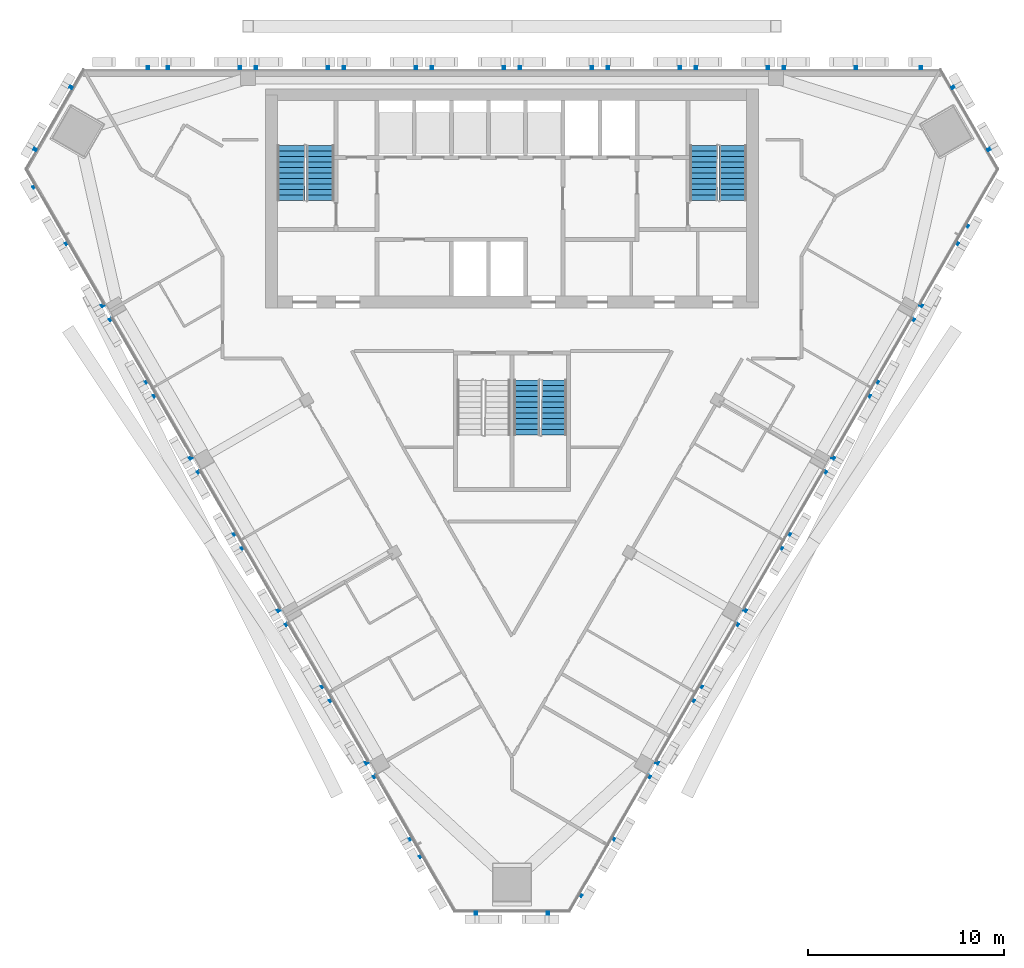
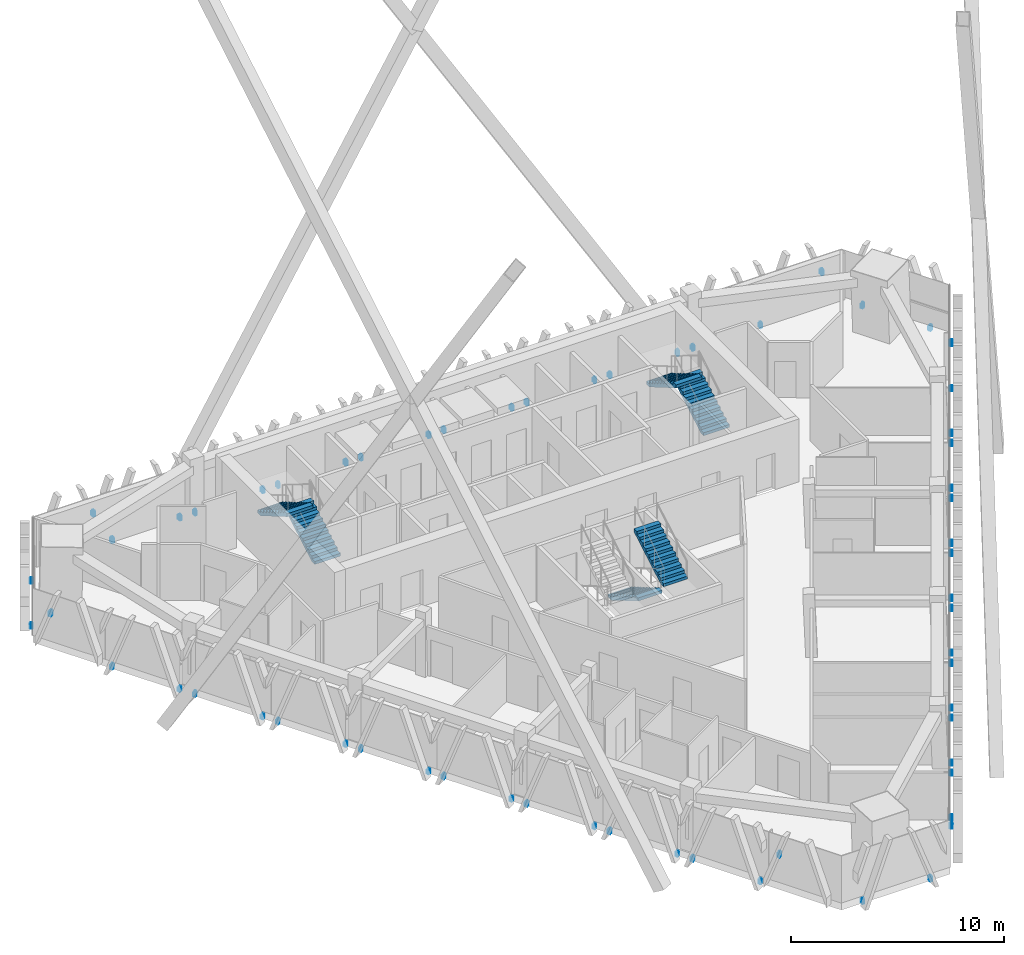
# One storey, part 19 of 22: 6 discrete accessories, 6 stair flights, 3 elements without a shape of their own.
"""IFC4 building model written with IfcOpenShell, lengths in metres."""

from ifc_helpers import new_model, si_unit, direction, frame, origin, place, context, subcontext, project, spatial, polyline, outline, extrude, source, transform, mapped, material, type_object, element, aggregate, save


model = new_model("IFC4")

# Units and contexts
model_context = context("Model", 3, precision=1e-05, world=origin(), true_north=direction((0.0, 1.0)))
body_context = subcontext(model_context, "Body", "Model", "MODEL_VIEW")
ifc_project = project(units=[si_unit("LENGTHUNIT", "METRE"), si_unit("AREAUNIT", "SQUARE_METRE"), si_unit("VOLUMEUNIT", "CUBIC_METRE"), si_unit("PLANEANGLEUNIT", "RADIAN"), si_unit("MASSUNIT", "GRAM", prefix="KILO")], contexts=[model_context])

# Site, building, storey
site_placement = place(None, origin())
site = spatial("IfcSite", under=ifc_project, at=site_placement, CompositionType="ELEMENT")
building_placement = place(site_placement, origin())
building = spatial("IfcBuilding", under=site, at=building_placement, Name="Altiplano Prism Tower", CompositionType="ELEMENT")
storey_placement = place(building_placement, frame((0.0, 0.0, 219.39990234375)))
storey = spatial("IfcBuildingStorey", under=building, at=storey_placement, Name="L56", CompositionType="ELEMENT", Elevation=219.39990234375)

# Stair, stair flights
ifc_material_1 = material(Name="Concrete C40/50", Category="concrete")
stair_type_1 = type_object("IfcStairType", Name="Exit stair 1400", PredefinedType="HALF_TURN_STAIR", material=ifc_material_1)
stair_1_placement = place(storey_placement, origin())
stair_1 = element("IfcStair", 1, at=stair_1_placement, inside=storey, type_object=stair_type_1, Name="L56 Exit Stair 1", PredefinedType="HALF_TURN_STAIR")
stair_flight_type = type_object("IfcStairFlightType", Name="Stair flight concrete 150", PredefinedType="STRAIGHT", material=ifc_material_1)
stair_flight_1_placement = place(storey_placement, frame((75.199951171875, 98.300048828125, 0.0), z_axis=(0.0, 0.0, 1.0), x_axis=(0.0, 1.0, 0.0)))
stair_flight_1 = element("IfcStairFlight", 2, at=stair_flight_1_placement, type_object=stair_flight_type, Name="ST1 flight 1", NumberOfRisers=11, NumberOfTreads=10, PredefinedType="STRAIGHT", RiserHeight=0.163636364, TreadLength=0.28, context=body_context, shape_type="SweptSolid", body=[
    extrude(outline(polyline([(0.0, 0.0), (0.0, 0.16357421875), (0.280029296875, 0.16357421875), (0.280029296875, 0.327392578125), (0.56005859375, 0.327392578125), (0.56005859375, 0.490966796875), (0.840087890625, 0.490966796875), (0.840087890625, 0.654541015625), (1.1201171875, 0.654541015625), (1.1201171875, 0.818115234375), (1.39990234375, 0.818115234375), (1.39990234375, 0.98193359375), (1.679931640625, 0.98193359375), (1.679931640625, 1.1455078125), (1.9599609375, 1.1455078125), (1.9599609375, 1.30908203125), (2.239990234375, 1.30908203125), (2.239990234375, 1.47265625), (2.52001953125, 1.47265625), (2.52001953125, 1.636474609375), (2.800048828125, 1.636474609375), (2.800048828125, 1.800048828125), (2.800048828125, 1.462646484375), (0.297119140625, 0.0), (0.0, 0.0)])), frame((0.0, 0.699951171875, 0.0), z_axis=(0.0, -1.0, 0.0), x_axis=(1.0, 0.0, 0.0)), (0.0, 0.0, 1.0), 1.39990234375),
])
stair_flight_2_placement = place(storey_placement, frame((73.699951171875, 101.10009765625, 1.800048828125), z_axis=(0.0, 0.0, 1.0), x_axis=(0.0, -1.0, 0.0)))
stair_flight_2 = element("IfcStairFlight", 3, at=stair_flight_2_placement, type_object=stair_flight_type, Name="ST1 flight 2", NumberOfRisers=11, NumberOfTreads=10, PredefinedType="STRAIGHT", RiserHeight=0.163636364, TreadLength=0.28, context=body_context, shape_type="SweptSolid", body=[
    extrude(outline(polyline([(0.0, 0.0), (0.0, 0.16357421875), (0.280029296875, 0.16357421875), (0.280029296875, 0.327392578125), (0.56005859375, 0.327392578125), (0.56005859375, 0.490966796875), (0.840087890625, 0.490966796875), (0.840087890625, 0.654541015625), (1.1201171875, 0.654541015625), (1.1201171875, 0.818115234375), (1.39990234375, 0.818115234375), (1.39990234375, 0.98193359375), (1.679931640625, 0.98193359375), (1.679931640625, 1.1455078125), (1.9599609375, 1.1455078125), (1.9599609375, 1.30908203125), (2.239990234375, 1.30908203125), (2.239990234375, 1.47265625), (2.52001953125, 1.47265625), (2.52001953125, 1.636474609375), (2.800048828125, 1.636474609375), (2.800048828125, 1.800048828125), (2.800048828125, 1.462646484375), (0.297119140625, 0.0), (0.0, 0.0)])), frame((0.0, 0.699951171875, 0.0), z_axis=(0.0, -1.0, 0.0), x_axis=(1.0, 0.0, 0.0)), (0.0, 0.0, 1.0), 1.39990234375),
])
aggregate(stair_1, [stair_flight_1, stair_flight_2])

stair_2_placement = place(storey_placement, origin())
stair_2 = element("IfcStair", 4, at=stair_2_placement, inside=storey, type_object=stair_type_1, Name="L56 Exit Stair 2", PredefinedType="HALF_TURN_STAIR")
stair_flight_3_placement = place(storey_placement, frame((96.300048828125, 98.300048828125, 0.0), z_axis=(0.0, 0.0, 1.0), x_axis=(0.0, 1.0, 0.0)))
stair_flight_3 = element("IfcStairFlight", 5, at=stair_flight_3_placement, type_object=stair_flight_type, Name="ST2 flight 1", NumberOfRisers=11, NumberOfTreads=10, PredefinedType="STRAIGHT", RiserHeight=0.163636364, TreadLength=0.28, context=body_context, shape_type="SweptSolid", body=[
    extrude(outline(polyline([(0.0, 0.0), (0.0, 0.16357421875), (0.280029296875, 0.16357421875), (0.280029296875, 0.327392578125), (0.56005859375, 0.327392578125), (0.56005859375, 0.490966796875), (0.840087890625, 0.490966796875), (0.840087890625, 0.654541015625), (1.1201171875, 0.654541015625), (1.1201171875, 0.818115234375), (1.39990234375, 0.818115234375), (1.39990234375, 0.98193359375), (1.679931640625, 0.98193359375), (1.679931640625, 1.1455078125), (1.9599609375, 1.1455078125), (1.9599609375, 1.30908203125), (2.239990234375, 1.30908203125), (2.239990234375, 1.47265625), (2.52001953125, 1.47265625), (2.52001953125, 1.636474609375), (2.800048828125, 1.636474609375), (2.800048828125, 1.800048828125), (2.800048828125, 1.462646484375), (0.297119140625, 0.0), (0.0, 0.0)])), frame((0.0, 0.699951171875, 0.0), z_axis=(0.0, -1.0, 0.0), x_axis=(1.0, 0.0, 0.0)), (0.0, 0.0, 1.0), 1.39990234375),
])
stair_flight_4_placement = place(storey_placement, frame((94.800048828125, 101.10009765625, 1.800048828125), z_axis=(0.0, 0.0, 1.0), x_axis=(0.0, -1.0, 0.0)))
stair_flight_4 = element("IfcStairFlight", 6, at=stair_flight_4_placement, type_object=stair_flight_type, Name="ST2 flight 2", NumberOfRisers=11, NumberOfTreads=10, PredefinedType="STRAIGHT", RiserHeight=0.163636364, TreadLength=0.28, context=body_context, shape_type="SweptSolid", body=[
    extrude(outline(polyline([(0.0, 0.0), (0.0, 0.16357421875), (0.280029296875, 0.16357421875), (0.280029296875, 0.327392578125), (0.56005859375, 0.327392578125), (0.56005859375, 0.490966796875), (0.840087890625, 0.490966796875), (0.840087890625, 0.654541015625), (1.1201171875, 0.654541015625), (1.1201171875, 0.818115234375), (1.39990234375, 0.818115234375), (1.39990234375, 0.98193359375), (1.679931640625, 0.98193359375), (1.679931640625, 1.1455078125), (1.9599609375, 1.1455078125), (1.9599609375, 1.30908203125), (2.239990234375, 1.30908203125), (2.239990234375, 1.47265625), (2.52001953125, 1.47265625), (2.52001953125, 1.636474609375), (2.800048828125, 1.636474609375), (2.800048828125, 1.800048828125), (2.800048828125, 1.462646484375), (0.297119140625, 0.0), (0.0, 0.0)])), frame((0.0, 0.699951171875, 0.0), z_axis=(0.0, -1.0, 0.0), x_axis=(1.0, 0.0, 0.0)), (0.0, 0.0, 1.0), 1.39990234375),
])
aggregate(stair_2, [stair_flight_3, stair_flight_4])

stair_type_2 = type_object("IfcStairType", Name="Exit stair 1300", PredefinedType="HALF_TURN_STAIR", material=ifc_material_1)
stair_3_placement = place(storey_placement, origin())
stair_3 = element("IfcStair", 7, at=stair_3_placement, inside=storey, type_object=stair_type_2, Name="L56 Exit Stair 3B", PredefinedType="HALF_TURN_STAIR")
stair_flight_5_placement = place(storey_placement, frame((85.75, 89.10009765625, 0.0), z_axis=(0.0, 0.0, 1.0), x_axis=(0.0, -1.0, 0.0)))
stair_flight_5 = element("IfcStairFlight", 8, at=stair_flight_5_placement, type_object=stair_flight_type, Name="ST3B flight 1", NumberOfRisers=11, NumberOfTreads=10, PredefinedType="STRAIGHT", RiserHeight=0.163636364, TreadLength=0.28, context=body_context, shape_type="SweptSolid", body=[
    extrude(outline(polyline([(0.0, 0.0), (0.0, 0.16357421875), (0.280029296875, 0.16357421875), (0.280029296875, 0.327392578125), (0.56005859375, 0.327392578125), (0.56005859375, 0.490966796875), (0.840087890625, 0.490966796875), (0.840087890625, 0.654541015625), (1.1201171875, 0.654541015625), (1.1201171875, 0.818115234375), (1.39990234375, 0.818115234375), (1.39990234375, 0.98193359375), (1.679931640625, 0.98193359375), (1.679931640625, 1.1455078125), (1.9599609375, 1.1455078125), (1.9599609375, 1.30908203125), (2.239990234375, 1.30908203125), (2.239990234375, 1.47265625), (2.52001953125, 1.47265625), (2.52001953125, 1.636474609375), (2.800048828125, 1.636474609375), (2.800048828125, 1.800048828125), (2.800048828125, 1.462646484375), (0.297119140625, 0.0), (0.0, 0.0)])), frame((0.0, 0.64990234375, 0.0), z_axis=(0.0, -1.0, 0.0), x_axis=(1.0, 0.0, 0.0)), (0.0, 0.0, 1.0), 1.300048828125),
])
stair_flight_6_placement = place(storey_placement, frame((87.14990234375, 86.300048828125, 1.800048828125), z_axis=(0.0, 0.0, 1.0), x_axis=(0.0, 1.0, 0.0)))
stair_flight_6 = element("IfcStairFlight", 9, at=stair_flight_6_placement, type_object=stair_flight_type, Name="ST3B flight 2", NumberOfRisers=11, NumberOfTreads=10, PredefinedType="STRAIGHT", RiserHeight=0.163636364, TreadLength=0.28, context=body_context, shape_type="SweptSolid", body=[
    extrude(outline(polyline([(0.0, 0.0), (0.0, 0.16357421875), (0.280029296875, 0.16357421875), (0.280029296875, 0.327392578125), (0.56005859375, 0.327392578125), (0.56005859375, 0.490966796875), (0.840087890625, 0.490966796875), (0.840087890625, 0.654541015625), (1.1201171875, 0.654541015625), (1.1201171875, 0.818115234375), (1.39990234375, 0.818115234375), (1.39990234375, 0.98193359375), (1.679931640625, 0.98193359375), (1.679931640625, 1.1455078125), (1.9599609375, 1.1455078125), (1.9599609375, 1.30908203125), (2.239990234375, 1.30908203125), (2.239990234375, 1.47265625), (2.52001953125, 1.47265625), (2.52001953125, 1.636474609375), (2.800048828125, 1.636474609375), (2.800048828125, 1.800048828125), (2.800048828125, 1.462646484375), (0.297119140625, 0.0), (0.0, 0.0)])), frame((0.0, 0.64990234375, 0.0), z_axis=(0.0, -1.0, 0.0), x_axis=(1.0, 0.0, 0.0)), (0.0, 0.0, 1.0), 1.300048828125),
])
aggregate(stair_3, [stair_flight_5, stair_flight_6])

# Discrete accessories
ifc_material_2 = material(Name="Stainless steel", Category="steel")
discrete_accessory_type = type_object("IfcDiscreteAccessoryType", Name="Stone fin fixing prongs", PredefinedType="USERDEFINED", material=ifc_material_2)
shared_shape_1 = source(origin(), body_context, "Body", "SweptSolid", [
    extrude(outline(polyline([(-1.21142578125, 1.934814453125), (-1.091552734375, 1.934814453125), (-1.091552734375, 2.234619140625), (-1.21142578125, 2.234619140625), (-1.21142578125, 1.934814453125)])), frame((0.0, 0.0, 0.0), z_axis=(0.0, -1.0, 0.0), x_axis=(1.0, 0.0, 0.0)), (0.0, 0.0, 1.0), 0.14990234375),
])
shared_shape_2 = source(origin(), body_context, "Body", "SweptSolid", [
    extrude(outline(polyline([(-1.8974609375, 0.06005859375), (-1.777587890625, 0.06005859375), (-1.777587890625, 0.340087890625), (-1.8974609375, 0.340087890625), (-1.8974609375, 0.06005859375)])), frame((0.0, 0.0, 0.0), z_axis=(0.0, -1.0, 0.0), x_axis=(1.0, 0.0, 0.0)), (0.0, 0.0, 1.0), 0.14990234375),
    extrude(outline(polyline([(1.777587890625, 0.06005859375), (1.8974609375, 0.06005859375), (1.8974609375, 0.340087890625), (1.777587890625, 0.340087890625), (1.777587890625, 0.06005859375)])), frame((0.0, 0.0, 0.0), z_axis=(0.0, -1.0, 0.0), x_axis=(1.0, 0.0, 0.0)), (0.0, 0.0, 1.0), 0.14990234375),
])
discrete_accessory_1_placement = place(storey_placement, origin())
element("IfcDiscreteAccessory", 10, at=discrete_accessory_1_placement, inside=storey, type_object=discrete_accessory_type, Name="Fin fixings L56 north face", ObjectType="BRACKET", PredefinedType="USERDEFINED", context=body_context, shape_type="MappedRepresentation", body=[
    mapped(shared_shape_1, transform((104.768310546875, 105.0, -0.39990234375), x_axis=(-1.0, 0.0, 0.0), y_axis=(0.0, -1.0, 0.0), z_axis=(0.0, 0.0, 1.0))),
    mapped(shared_shape_2, transform((100.75, 105.0, -0.39990234375), x_axis=(-1.0, 0.0, 0.0), y_axis=(0.0, -1.0, 0.0), z_axis=(0.0, 0.0, 1.0))),
    mapped(shared_shape_2, transform((96.25, 105.0, -0.39990234375), x_axis=(-1.0, 0.0, 0.0), y_axis=(0.0, -1.0, 0.0), z_axis=(0.0, 0.0, 1.0))),
    mapped(shared_shape_2, transform((91.75, 105.0, -0.39990234375), x_axis=(-1.0, 0.0, 0.0), y_axis=(0.0, -1.0, 0.0), z_axis=(0.0, 0.0, 1.0))),
    mapped(shared_shape_2, transform((87.25, 105.0, -0.39990234375), x_axis=(-1.0, 0.0, 0.0), y_axis=(0.0, -1.0, 0.0), z_axis=(0.0, 0.0, 1.0))),
    mapped(shared_shape_2, transform((82.75, 105.0, -0.39990234375), x_axis=(-1.0, 0.0, 0.0), y_axis=(0.0, -1.0, 0.0), z_axis=(0.0, 0.0, 1.0))),
    mapped(shared_shape_2, transform((78.25, 105.0, -0.39990234375), x_axis=(-1.0, 0.0, 0.0), y_axis=(0.0, -1.0, 0.0), z_axis=(0.0, 0.0, 1.0))),
    mapped(shared_shape_2, transform((73.75, 105.0, -0.39990234375), x_axis=(-1.0, 0.0, 0.0), y_axis=(0.0, -1.0, 0.0), z_axis=(0.0, 0.0, 1.0))),
    mapped(shared_shape_2, transform((69.25, 105.0, -0.39990234375), x_axis=(-1.0, 0.0, 0.0), y_axis=(0.0, -1.0, 0.0), z_axis=(0.0, 0.0, 1.0))),
    mapped(shared_shape_1, transform((65.231689453125, 105.0, -0.39990234375), x_axis=(-1.0, 0.0, 0.0), y_axis=(0.0, -1.0, 0.0), z_axis=(0.0, 0.0, 1.0))),
])
discrete_accessory_2_placement = place(storey_placement, origin())
element("IfcDiscreteAccessory", 11, at=discrete_accessory_2_placement, inside=storey, type_object=discrete_accessory_type, Name="Fin fixings L56 south-west face", ObjectType="BRACKET", PredefinedType="USERDEFINED", context=body_context, shape_type="MappedRepresentation", body=[
    mapped(shared_shape_1, transform((61.204345703125, 98.0244140625, -0.39990234375), x_axis=(0.499999980144, -0.866025415249, 0.0), y_axis=(0.866025415249, 0.499999980144, 0.0), z_axis=(0.0, 0.0, 1.0))),
    mapped(shared_shape_2, transform((63.21337890625, 94.54443359375, -0.39990234375), x_axis=(0.499999980144, -0.866025415249, 0.0), y_axis=(0.866025415249, 0.499999980144, 0.0), z_axis=(0.0, 0.0, 1.0))),
    mapped(shared_shape_2, transform((65.46337890625, 90.647216796875, -0.39990234375), x_axis=(0.499999980144, -0.866025415249, 0.0), y_axis=(0.866025415249, 0.499999980144, 0.0), z_axis=(0.0, 0.0, 1.0))),
    mapped(shared_shape_2, transform((67.71337890625, 86.750244140625, -0.39990234375), x_axis=(0.499999980144, -0.866025415249, 0.0), y_axis=(0.866025415249, 0.499999980144, 0.0), z_axis=(0.0, 0.0, 1.0))),
    mapped(shared_shape_2, transform((69.96337890625, 82.85302734375, -0.39990234375), x_axis=(0.499999980144, -0.866025415249, 0.0), y_axis=(0.866025415249, 0.499999980144, 0.0), z_axis=(0.0, 0.0, 1.0))),
    mapped(shared_shape_2, transform((72.21337890625, 78.9560546875, -0.39990234375), x_axis=(0.499999980144, -0.866025415249, 0.0), y_axis=(0.866025415249, 0.499999980144, 0.0), z_axis=(0.0, 0.0, 1.0))),
    mapped(shared_shape_2, transform((74.46337890625, 75.058837890625, -0.39990234375), x_axis=(0.499999980144, -0.866025415249, 0.0), y_axis=(0.866025415249, 0.499999980144, 0.0), z_axis=(0.0, 0.0, 1.0))),
    mapped(shared_shape_2, transform((76.71337890625, 71.16162109375, -0.39990234375), x_axis=(0.499999980144, -0.866025415249, 0.0), y_axis=(0.866025415249, 0.499999980144, 0.0), z_axis=(0.0, 0.0, 1.0))),
    mapped(shared_shape_2, transform((78.96337890625, 67.2646484375, -0.39990234375), x_axis=(0.499999980144, -0.866025415249, 0.0), y_axis=(0.866025415249, 0.499999980144, 0.0), z_axis=(0.0, 0.0, 1.0))),
    mapped(shared_shape_1, transform((80.97265625, 63.78466796875, -0.39990234375), x_axis=(0.499999980144, -0.866025415249, 0.0), y_axis=(0.866025415249, 0.499999980144, 0.0), z_axis=(0.0, 0.0, 1.0))),
])
discrete_accessory_3_placement = place(storey_placement, origin())
element("IfcDiscreteAccessory", 12, at=discrete_accessory_3_placement, inside=storey, type_object=discrete_accessory_type, Name="Fin fixings L56 south-east face", ObjectType="BRACKET", PredefinedType="USERDEFINED", context=body_context, shape_type="MappedRepresentation", body=[
    mapped(shared_shape_1, transform((89.02734375, 63.78466796875, -0.39990234375), x_axis=(0.499999980144, 0.866025415249, 0.0), y_axis=(-0.866025415249, 0.499999980144, 0.0), z_axis=(0.0, 0.0, 1.0))),
    mapped(shared_shape_2, transform((91.03662109375, 67.2646484375, -0.39990234375), x_axis=(0.499999980144, 0.866025415249, 0.0), y_axis=(-0.866025415249, 0.499999980144, 0.0), z_axis=(0.0, 0.0, 1.0))),
    mapped(shared_shape_2, transform((93.28662109375, 71.16162109375, -0.39990234375), x_axis=(0.499999980144, 0.866025415249, 0.0), y_axis=(-0.866025415249, 0.499999980144, 0.0), z_axis=(0.0, 0.0, 1.0))),
    mapped(shared_shape_2, transform((95.53662109375, 75.058837890625, -0.39990234375), x_axis=(0.499999980144, 0.866025415249, 0.0), y_axis=(-0.866025415249, 0.499999980144, 0.0), z_axis=(0.0, 0.0, 1.0))),
    mapped(shared_shape_2, transform((97.78662109375, 78.9560546875, -0.39990234375), x_axis=(0.499999980144, 0.866025415249, 0.0), y_axis=(-0.866025415249, 0.499999980144, 0.0), z_axis=(0.0, 0.0, 1.0))),
    mapped(shared_shape_2, transform((100.03662109375, 82.85302734375, -0.39990234375), x_axis=(0.499999980144, 0.866025415249, 0.0), y_axis=(-0.866025415249, 0.499999980144, 0.0), z_axis=(0.0, 0.0, 1.0))),
    mapped(shared_shape_2, transform((102.28662109375, 86.750244140625, -0.39990234375), x_axis=(0.499999980144, 0.866025415249, 0.0), y_axis=(-0.866025415249, 0.499999980144, 0.0), z_axis=(0.0, 0.0, 1.0))),
    mapped(shared_shape_2, transform((104.53662109375, 90.647216796875, -0.39990234375), x_axis=(0.499999980144, 0.866025415249, 0.0), y_axis=(-0.866025415249, 0.499999980144, 0.0), z_axis=(0.0, 0.0, 1.0))),
    mapped(shared_shape_2, transform((106.78662109375, 94.54443359375, -0.39990234375), x_axis=(0.499999980144, 0.866025415249, 0.0), y_axis=(-0.866025415249, 0.499999980144, 0.0), z_axis=(0.0, 0.0, 1.0))),
    mapped(shared_shape_1, transform((108.795654296875, 98.0244140625, -0.39990234375), x_axis=(0.499999980144, 0.866025415249, 0.0), y_axis=(-0.866025415249, 0.499999980144, 0.0), z_axis=(0.0, 0.0, 1.0))),
])
shared_shape_3 = source(origin(), body_context, "Body", "SweptSolid", [
    extrude(outline(polyline([(-1.8974609375, 0.06005859375), (-1.777587890625, 0.06005859375), (-1.777587890625, 0.340087890625), (-1.8974609375, 0.340087890625), (-1.8974609375, 0.06005859375)])), frame((0.0, 0.0, 0.0), z_axis=(0.0, -1.0, 0.0), x_axis=(1.0, 0.0, 0.0)), (0.0, 0.0, 1.0), 0.14990234375),
    extrude(outline(polyline([(1.777587890625, 0.06005859375), (1.8974609375, 0.06005859375), (1.8974609375, 0.340087890625), (1.777587890625, 0.340087890625), (1.777587890625, 0.06005859375)])), frame((0.0, 0.0, 0.0), z_axis=(0.0, -1.0, 0.0), x_axis=(1.0, 0.0, 0.0)), (0.0, 0.0, 1.0), 0.14990234375),
])
discrete_accessory_4_placement = place(storey_placement, origin())
element("IfcDiscreteAccessory", 13, at=discrete_accessory_4_placement, inside=storey, type_object=discrete_accessory_type, Name="Fin fixings L56 north-west chamfer", ObjectType="BRACKET", PredefinedType="USERDEFINED", context=body_context, shape_type="MappedRepresentation", body=[
    mapped(shared_shape_3, transform((61.591796875, 102.451171875, -0.39990234375), x_axis=(-0.499999937818, -0.866025439685, 0.0), y_axis=(0.866025439685, -0.499999937818, 0.0), z_axis=(0.0, 0.0, 1.0))),
])
discrete_accessory_5_placement = place(storey_placement, origin())
element("IfcDiscreteAccessory", 14, at=discrete_accessory_5_placement, inside=storey, type_object=discrete_accessory_type, Name="Fin fixings L56 south chamfer", ObjectType="BRACKET", PredefinedType="USERDEFINED", context=body_context, shape_type="MappedRepresentation", body=[
    mapped(shared_shape_3, transform((85.0, 61.90673828125, -0.39990234375), x_axis=(1.0, 0.0, 0.0), y_axis=(0.0, 1.0, 0.0), z_axis=(0.0, 0.0, 1.0))),
])
discrete_accessory_6_placement = place(storey_placement, origin())
element("IfcDiscreteAccessory", 15, at=discrete_accessory_6_placement, inside=storey, type_object=discrete_accessory_type, Name="Fin fixings L56 north-east chamfer", ObjectType="BRACKET", PredefinedType="USERDEFINED", context=body_context, shape_type="MappedRepresentation", body=[
    mapped(shared_shape_3, transform((108.408203125, 102.451171875, -0.39990234375), x_axis=(-0.499999937818, 0.866025439685, 0.0), y_axis=(-0.866025439685, -0.499999937818, 0.0), z_axis=(0.0, 0.0, 1.0))),
])

save(model, "model.ifc")
